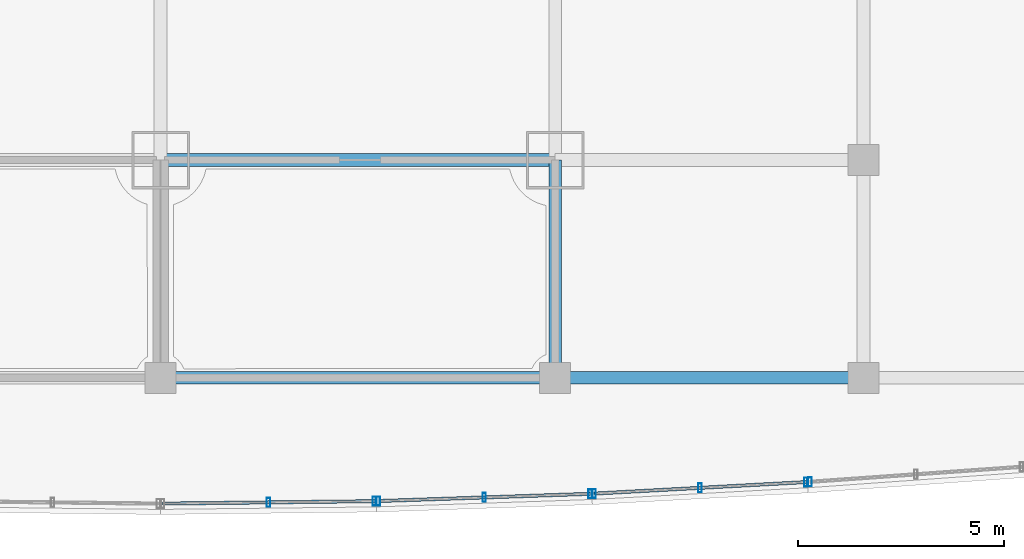
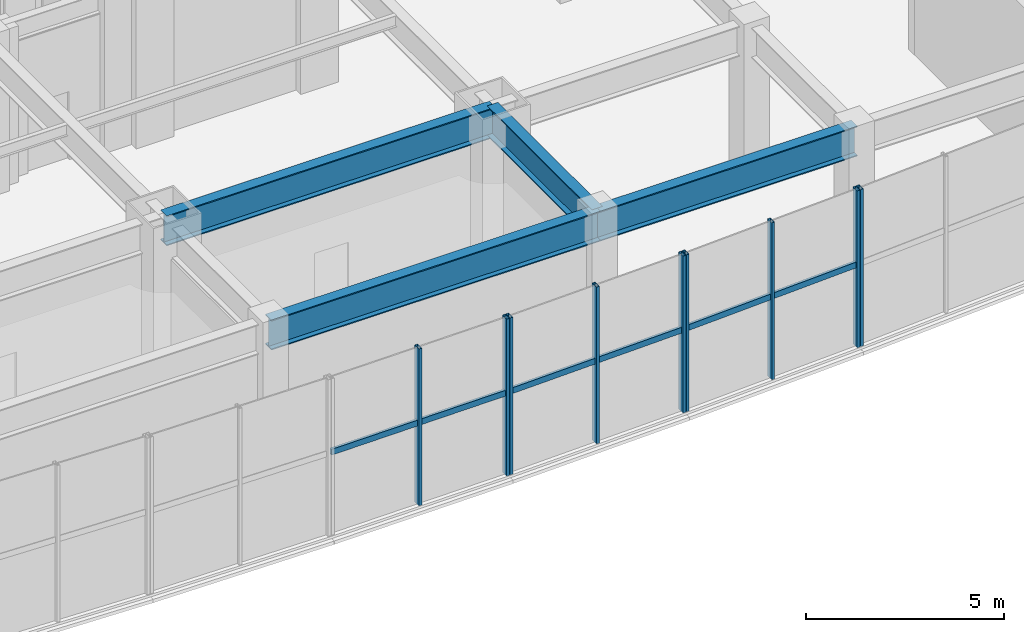
# One storey, part 7 of 24: 12 members, 4 beams, 4 elements without a shape of their own.
"""IFC4 building model written with IfcOpenShell, lengths in metres."""

from ifc_helpers import new_model, si_unit, direction, frame, origin, origin_2d, place, context, subcontext, project, spatial, hollow_rectangle, i_section, extrude, material, layer, layer_set, material_profile, profile_set, type_object, element, aggregate, save


model = new_model("IFC4")

# Units and contexts
model_context = context("Model", 3, precision=1e-05, world=origin(), true_north=direction((0.0, 1.0)))
body_context = subcontext(model_context, "Body", "Model", "MODEL_VIEW")
ifc_project = project(units=[si_unit("LENGTHUNIT", "METRE"), si_unit("AREAUNIT", "SQUARE_METRE"), si_unit("VOLUMEUNIT", "CUBIC_METRE"), si_unit("PLANEANGLEUNIT", "RADIAN"), si_unit("MASSUNIT", "GRAM", prefix="KILO")], contexts=[model_context])

# Site, building, storey
site_placement = place(None, origin())
site = spatial("IfcSite", under=ifc_project, at=site_placement, CompositionType="ELEMENT")
building_placement = place(site_placement, origin())
building = spatial("IfcBuilding", under=site, at=building_placement, Name="Vantalir Tower", CompositionType="ELEMENT")
storey_placement = place(building_placement, frame((0.0, 0.0, 11.0)))
storey = spatial("IfcBuildingStorey", under=building, at=storey_placement, Name="L02", CompositionType="ELEMENT", Elevation=11.0)

# Beams
ifc_material_1 = material(Name="Steel S355", Category="steel")
ifc_material_profile_1 = material_profile(ifc_material_1, i_section(OverallWidth=0.30810546875, OverallDepth=0.927001953125, WebThickness=0.01953125, FlangeThickness=0.031982421875, at=origin_2d()), Name="Steel S355")
ifc_profile_set_1 = profile_set([ifc_material_profile_1], Name="Steel S355")
beam_type = type_object("IfcBeamType", Name="BM-PG-914x305", PredefinedType="USERDEFINED", material=ifc_profile_set_1)
beam_1_placement = place(storey_placement, frame((31.5, 3.199951171875, 4.35595703125), z_axis=(1.0, 0.0, 0.0), x_axis=(0.0, 1.0, 0.0)))
element("IfcBeam", 1, at=beam_1_placement, inside=storey, type_object=beam_type, Name="Level 02 Podium E-W Girder 04", ObjectType="GIRDER", PredefinedType="USERDEFINED", context=body_context, shape_type="SweptSolid", body=[
    extrude(i_section(OverallWidth=0.30810546875, OverallDepth=0.927001953125, WebThickness=0.01953125, FlangeThickness=0.031982421875, at=origin_2d()), origin(), (0.0, 0.0, 1.0), 9.60009765625),
])
beam_2_placement = place(storey_placement, frame((41.10009765625, 3.199951171875, 4.35595703125), z_axis=(1.0, 0.0, 0.0), x_axis=(0.0, 1.0, 0.0)))
element("IfcBeam", 2, at=beam_2_placement, inside=storey, type_object=beam_type, Name="Level 02 Podium E-W Girder 05", ObjectType="GIRDER", PredefinedType="USERDEFINED", context=body_context, shape_type="SweptSolid", body=[
    extrude(i_section(OverallWidth=0.30810546875, OverallDepth=0.927001953125, WebThickness=0.01953125, FlangeThickness=0.031982421875, at=origin_2d()), origin(), (0.0, 0.0, 1.0), 7.5),
])
beam_3_placement = place(storey_placement, frame((31.5, 8.5, 4.35595703125), z_axis=(1.0, 0.0, 0.0), x_axis=(0.0, 1.0, 0.0)))
element("IfcBeam", 3, at=beam_3_placement, inside=storey, type_object=beam_type, Name="Level 02 Podium E-W Girder 10", ObjectType="GIRDER", PredefinedType="USERDEFINED", context=body_context, shape_type="SweptSolid", body=[
    extrude(i_section(OverallWidth=0.30810546875, OverallDepth=0.927001953125, WebThickness=0.01953125, FlangeThickness=0.031982421875, at=origin_2d()), origin(), (0.0, 0.0, 1.0), 9.60009765625),
])
beam_4_placement = place(storey_placement, frame((41.10009765625, 3.199951171875, 4.35595703125), z_axis=(0.0, 1.0, 0.0), x_axis=(-1.0, 0.0, 0.0)))
element("IfcBeam", 4, at=beam_4_placement, inside=storey, type_object=beam_type, Name="Level 02 Podium N-S Girder 67", ObjectType="GIRDER", PredefinedType="USERDEFINED", context=body_context, shape_type="SweptSolid", body=[
    extrude(i_section(OverallWidth=0.30810546875, OverallDepth=0.927001953125, WebThickness=0.01953125, FlangeThickness=0.031982421875, at=origin_2d()), origin(), (0.0, 0.0, 1.0), 5.300048828125),
])

# Curtain wall, members
ifc_material_2 = material(Name="Champagne-silver PVDF aluminium and double-silver Low-E glass", Category="aluminium")
ifc_layer = layer(ifc_material_2, 0.239990234375)
ifc_layer_set = layer_set([ifc_layer], Name="Champagne-silver PVDF aluminium and double-silver Low-E glass")
curtain_wall_type = type_object("IfcCurtainWallType", Name="CW-PODIUM-WF", PredefinedType="USERDEFINED", material=ifc_layer_set)
curtain_wall_1_placement = place(storey_placement, origin())
curtain_wall_1 = element("IfcCurtainWall", 5, at=curtain_wall_1_placement, inside=storey, type_object=curtain_wall_type, Name="Level 02 Waterfront Stick Curtain Wall 07", ObjectType="STICK CURTAIN WALL", PredefinedType="USERDEFINED")
ifc_material_3 = material(Name="Champagne-silver PVDF aluminium 6063-T6", Category="aluminium")
ifc_material_profile_2 = material_profile(ifc_material_3, hollow_rectangle(XDim=0.0849609375, YDim=0.219970703125, WallThickness=0.0048828125, at=origin_2d()), Name="Champagne-silver PVDF aluminium 6063-T6")
ifc_profile_set_2 = profile_set([ifc_material_profile_2], Name="Champagne-silver PVDF aluminium 6063-T6")
member_type_1 = type_object("IfcMemberType", Name="CWM-220x85", PredefinedType="MULLION", material=ifc_profile_set_2)
member_1_placement = place(storey_placement, frame((34.125, 0.169921875, -0.011962890625), z_axis=(0.0, 0.0, 1.0), x_axis=(1.0, 0.0, 0.0)))
member_1 = element("IfcMember", 6, at=member_1_placement, type_object=member_type_1, Name="CW-L02-WF-07 Mullion 2", PredefinedType="MULLION", context=body_context, shape_type="SweptSolid", body=[
    extrude(hollow_rectangle(XDim=0.0849609375, YDim=0.219970703125, WallThickness=0.0048828125, at=origin_2d()), origin(), (0.0, 0.0, 1.0), 4.843994140625),
])
member_2_placement = place(storey_placement, frame((36.699951171875, 0.199951171875, -0.011962890625), z_axis=(0.0, 0.0, 1.0), x_axis=(1.0, 0.0, 0.0)))
member_2 = element("IfcMember", 7, at=member_2_placement, type_object=member_type_1, Name="CW-L02-WF-07 Mullion 3", PredefinedType="MULLION", context=body_context, shape_type="SweptSolid", body=[
    extrude(hollow_rectangle(XDim=0.0849609375, YDim=0.219970703125, WallThickness=0.0048828125, at=origin_2d()), origin(), (0.0, 0.0, 1.0), 4.843994140625),
])

curtain_wall_2_placement = place(storey_placement, origin())
curtain_wall_2 = element("IfcCurtainWall", 8, at=curtain_wall_2_placement, inside=storey, type_object=curtain_wall_type, Name="Level 02 Waterfront Stick Curtain Wall 08", ObjectType="STICK CURTAIN WALL", PredefinedType="USERDEFINED")
member_3_placement = place(storey_placement, frame((36.800048828125, 0.202880859375, -0.011962890625), z_axis=(0.0, 0.0, 1.0), x_axis=(1.0, 0.0, 0.0)))
member_3 = element("IfcMember", 9, at=member_3_placement, type_object=member_type_1, Name="CW-L02-WF-08 Mullion 1", PredefinedType="MULLION", context=body_context, shape_type="SweptSolid", body=[
    extrude(hollow_rectangle(XDim=0.0849609375, YDim=0.219970703125, WallThickness=0.0048828125, at=origin_2d()), origin(), (0.0, 0.0, 1.0), 4.843994140625),
])
member_4_placement = place(storey_placement, frame((39.375, 0.291015625, -0.011962890625), z_axis=(0.0, 0.0, 1.0), x_axis=(1.0, 0.0, 0.0)))
member_4 = element("IfcMember", 10, at=member_4_placement, type_object=member_type_1, Name="CW-L02-WF-08 Mullion 2", PredefinedType="MULLION", context=body_context, shape_type="SweptSolid", body=[
    extrude(hollow_rectangle(XDim=0.0849609375, YDim=0.219970703125, WallThickness=0.0048828125, at=origin_2d()), origin(), (0.0, 0.0, 1.0), 4.843994140625),
])
member_5_placement = place(storey_placement, frame((41.949951171875, 0.37890625, -0.011962890625), z_axis=(0.0, 0.0, 1.0), x_axis=(1.0, 0.0, 0.0)))
member_5 = element("IfcMember", 11, at=member_5_placement, type_object=member_type_1, Name="CW-L02-WF-08 Mullion 3", PredefinedType="MULLION", context=body_context, shape_type="SweptSolid", body=[
    extrude(hollow_rectangle(XDim=0.0849609375, YDim=0.219970703125, WallThickness=0.0048828125, at=origin_2d()), origin(), (0.0, 0.0, 1.0), 4.843994140625),
])

curtain_wall_3_placement = place(storey_placement, origin())
curtain_wall_3 = element("IfcCurtainWall", 12, at=curtain_wall_3_placement, inside=storey, type_object=curtain_wall_type, Name="Level 02 Waterfront Stick Curtain Wall 09", ObjectType="STICK CURTAIN WALL", PredefinedType="USERDEFINED")
member_6_placement = place(storey_placement, frame((42.050048828125, 0.384033203125, -0.011962890625), z_axis=(0.0, 0.0, 1.0), x_axis=(1.0, 0.0, 0.0)))
member_6 = element("IfcMember", 13, at=member_6_placement, type_object=member_type_1, Name="CW-L02-WF-09 Mullion 1", PredefinedType="MULLION", context=body_context, shape_type="SweptSolid", body=[
    extrude(hollow_rectangle(XDim=0.0849609375, YDim=0.219970703125, WallThickness=0.0048828125, at=origin_2d()), origin(), (0.0, 0.0, 1.0), 4.843994140625),
])
member_7_placement = place(storey_placement, frame((44.625, 0.52392578125, -0.011962890625), z_axis=(0.0, 0.0, 1.0), x_axis=(1.0, 0.0, 0.0)))
member_7 = element("IfcMember", 14, at=member_7_placement, type_object=member_type_1, Name="CW-L02-WF-09 Mullion 2", PredefinedType="MULLION", context=body_context, shape_type="SweptSolid", body=[
    extrude(hollow_rectangle(XDim=0.0849609375, YDim=0.219970703125, WallThickness=0.0048828125, at=origin_2d()), origin(), (0.0, 0.0, 1.0), 4.843994140625),
])
member_8_placement = place(storey_placement, frame((47.199951171875, 0.6640625, -0.011962890625), z_axis=(0.0, 0.0, 1.0), x_axis=(1.0, 0.0, 0.0)))
member_8 = element("IfcMember", 15, at=member_8_placement, type_object=member_type_1, Name="CW-L02-WF-09 Mullion 3", PredefinedType="MULLION", context=body_context, shape_type="SweptSolid", body=[
    extrude(hollow_rectangle(XDim=0.0849609375, YDim=0.219970703125, WallThickness=0.0048828125, at=origin_2d()), origin(), (0.0, 0.0, 1.0), 4.843994140625),
])

# Curtain wall, member
curtain_wall_4_placement = place(storey_placement, origin())
curtain_wall_4 = element("IfcCurtainWall", 16, at=curtain_wall_4_placement, inside=storey, type_object=curtain_wall_type, Name="Level 02 Waterfront Stick Curtain Wall 10", ObjectType="STICK CURTAIN WALL", PredefinedType="USERDEFINED")
member_9_placement = place(storey_placement, frame((47.300048828125, 0.6708984375, -0.011962890625), z_axis=(0.0, 0.0, 1.0), x_axis=(1.0, 0.0, 0.0)))
member_9 = element("IfcMember", 17, at=member_9_placement, type_object=member_type_1, Name="CW-L02-WF-10 Mullion 1", PredefinedType="MULLION", context=body_context, shape_type="SweptSolid", body=[
    extrude(hollow_rectangle(XDim=0.0849609375, YDim=0.219970703125, WallThickness=0.0048828125, at=origin_2d()), origin(), (0.0, 0.0, 1.0), 4.843994140625),
])
aggregate(curtain_wall_4, [member_9])

# Member
ifc_material_profile_3 = material_profile(ifc_material_3, hollow_rectangle(XDim=0.080078125, YDim=0.179931640625, WallThickness=0.0048828125, at=origin_2d()), Name="Champagne-silver PVDF aluminium 6063-T6")
ifc_profile_set_3 = profile_set([ifc_material_profile_3], Name="Champagne-silver PVDF aluminium 6063-T6")
member_type_2 = type_object("IfcMemberType", Name="CWT-180x80", PredefinedType="USERDEFINED", material=ifc_profile_set_3)
member_10_placement = place(storey_placement, frame((31.550048828125, 0.14111328125, 2.506103515625), z_axis=(0.999934740508, 0.011424304184, 0.0), x_axis=(-0.011424304184, 0.999934740508, 0.0)))
member_10 = element("IfcMember", 18, at=member_10_placement, type_object=member_type_2, Name="CW-L02-WF-07 Transom 1", ObjectType="TRANSOM", PredefinedType="USERDEFINED", context=body_context, shape_type="SweptSolid", body=[
    extrude(hollow_rectangle(XDim=0.080078125, YDim=0.179931640625, WallThickness=0.0048828125, at=origin_2d()), origin(), (0.0, 0.0, 1.0), 5.150146484375),
])

aggregate(curtain_wall_1, [member_1, member_2, member_10])

member_11_placement = place(storey_placement, frame((36.800048828125, 0.202880859375, 2.506103515625), z_axis=(0.999416363673, 0.034160386755, 0.0), x_axis=(-0.034160386755, 0.999416363673, 0.0)))
member_11 = element("IfcMember", 19, at=member_11_placement, type_object=member_type_2, Name="CW-L02-WF-08 Transom 1", ObjectType="TRANSOM", PredefinedType="USERDEFINED", context=body_context, shape_type="SweptSolid", body=[
    extrude(hollow_rectangle(XDim=0.080078125, YDim=0.179931640625, WallThickness=0.0048828125, at=origin_2d()), origin(), (0.0, 0.0, 1.0), 5.15283203125),
])

aggregate(curtain_wall_2, [member_3, member_4, member_5, member_11])

member_12_placement = place(storey_placement, frame((42.050048828125, 0.384033203125, 2.506103515625), z_axis=(0.99852491449, 0.054295443108, 0.0), x_axis=(-0.054295443108, 0.99852491449, 0.0)))
member_12 = element("IfcMember", 20, at=member_12_placement, type_object=member_type_2, Name="CW-L02-WF-09 Transom 1", ObjectType="TRANSOM", PredefinedType="USERDEFINED", context=body_context, shape_type="SweptSolid", body=[
    extrude(hollow_rectangle(XDim=0.080078125, YDim=0.179931640625, WallThickness=0.0048828125, at=origin_2d()), origin(), (0.0, 0.0, 1.0), 5.157470703125),
])

aggregate(curtain_wall_3, [member_6, member_7, member_8, member_12])

save(model, "model.ifc")
